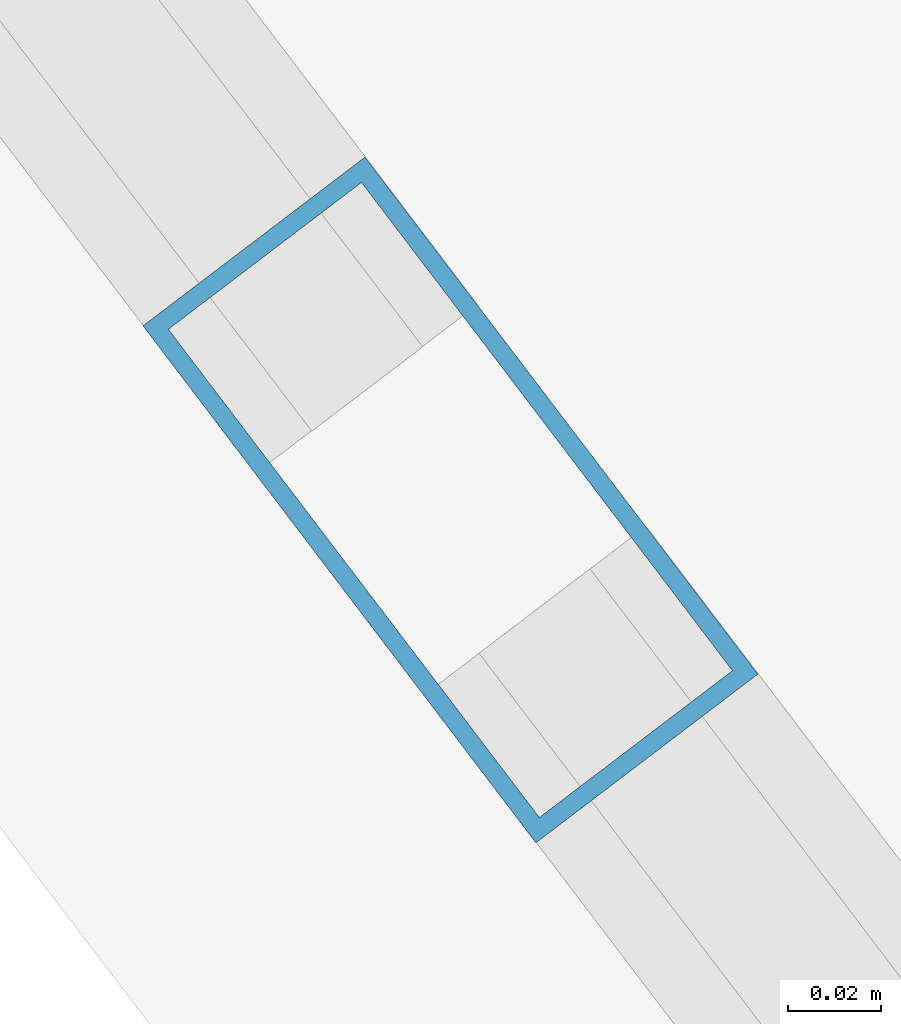
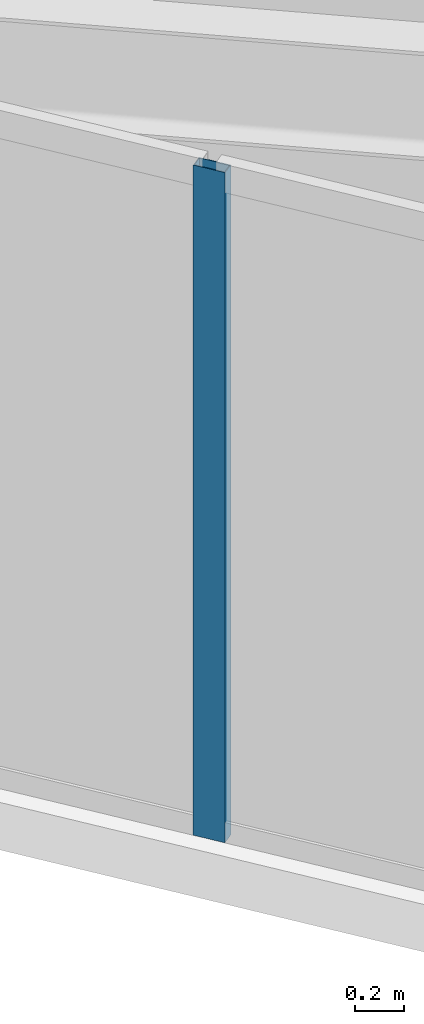
# One storey, part 3 of 16: 1 member, 1 element without a shape of its own.
"""IFC4 building model written with IfcOpenShell, lengths in metres."""

from ifc_helpers import new_model, si_unit, direction, frame, origin, origin_2d, place, context, subcontext, project, spatial, hollow_rectangle, extrude, material, layer, layer_set, material_profile, profile_set, type_object, element, aggregate, save


model = new_model("IFC4")

# Units and contexts
model_context = context("Model", 3, precision=1e-05, world=origin(), true_north=direction((0.0, 1.0)))
body_context = subcontext(model_context, "Body", "Model", "MODEL_VIEW")
ifc_project = project(units=[si_unit("LENGTHUNIT", "METRE"), si_unit("AREAUNIT", "SQUARE_METRE"), si_unit("VOLUMEUNIT", "CUBIC_METRE"), si_unit("PLANEANGLEUNIT", "RADIAN"), si_unit("MASSUNIT", "GRAM", prefix="KILO")], contexts=[model_context])

# Site, building, storey
site_placement = place(None, origin())
site = spatial("IfcSite", under=ifc_project, at=site_placement, CompositionType="ELEMENT")
building_placement = place(site_placement, origin())
building = spatial("IfcBuilding", under=site, at=building_placement, Name="Kravanh Interchange Tower", CompositionType="ELEMENT")
storey_placement = place(building_placement, frame((0.0, 0.0, 307.5)))
storey = spatial("IfcBuildingStorey", under=building, at=storey_placement, Name="L76", CompositionType="ELEMENT", Elevation=307.5)

# Curtain wall, member
ifc_material_1 = material(Name="Anodised Bronze Aluminium", Category="aluminium")
ifc_layer = layer(ifc_material_1, 0.179931640625)
ifc_layer_set = layer_set([ifc_layer], Name="Unitised Curtain Wall System CW-HTL Luxury Hotel")
curtain_wall_type = type_object("IfcCurtainWallType", Name="Unitised Curtain Wall System CW-HTL Luxury Hotel", PredefinedType="NOTDEFINED", material=ifc_layer_set)
curtain_wall_placement = place(storey_placement, origin())
curtain_wall = element("IfcCurtainWall", 1, at=curtain_wall_placement, inside=storey, type_object=curtain_wall_type, Name="L76 Unitised Curtain Wall CW-L76-04", PredefinedType="NOTDEFINED")
ifc_material_2 = material(Name="Anodised Bronze Aluminium", Category="aluminium")
ifc_material_profile = material_profile(ifc_material_2, hollow_rectangle(XDim=0.06005859375, YDim=0.139892578125, WallThickness=0.00390625, at=origin_2d()), Name="ALU60X140X4")
ifc_profile_set = profile_set([ifc_material_profile], Name="Anodised Bronze Aluminium")
member_type = type_object("IfcMemberType", Name="Curtain Wall Mullion ALU60X140X4 Bronze", PredefinedType="MULLION", material=ifc_profile_set)
member_placement = place(storey_placement, frame((48.7197265625, 27.140625, 0.0), z_axis=(0.0, 0.0, 1.0), x_axis=(-0.796161642797, -0.605083992962, 0.0)))
member = element("IfcMember", 2, at=member_placement, type_object=member_type, Name="CW-HTL mullion 3", PredefinedType="MULLION", context=body_context, shape_type="SweptSolid", body=[
    extrude(hollow_rectangle(XDim=0.06005859375, YDim=0.139892578125, WallThickness=0.00390625, at=origin_2d()), origin(), (0.0, 0.0, 1.0), 3.320068359375),
])
aggregate(curtain_wall, [member])

save(model, "model.ifc")
